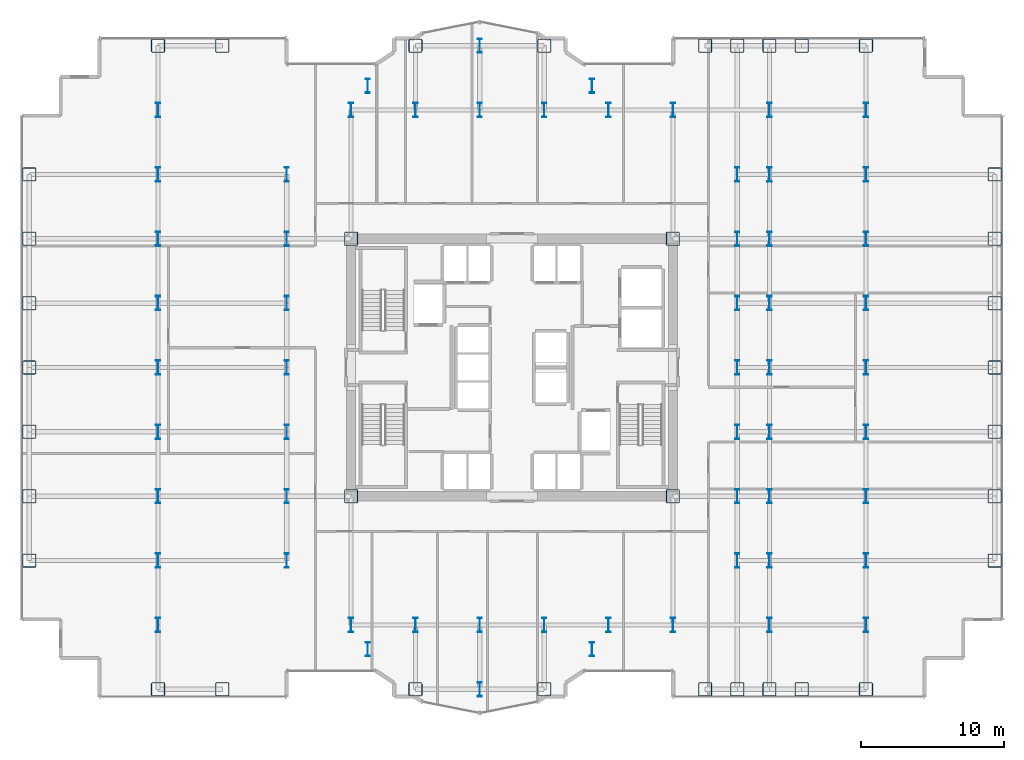
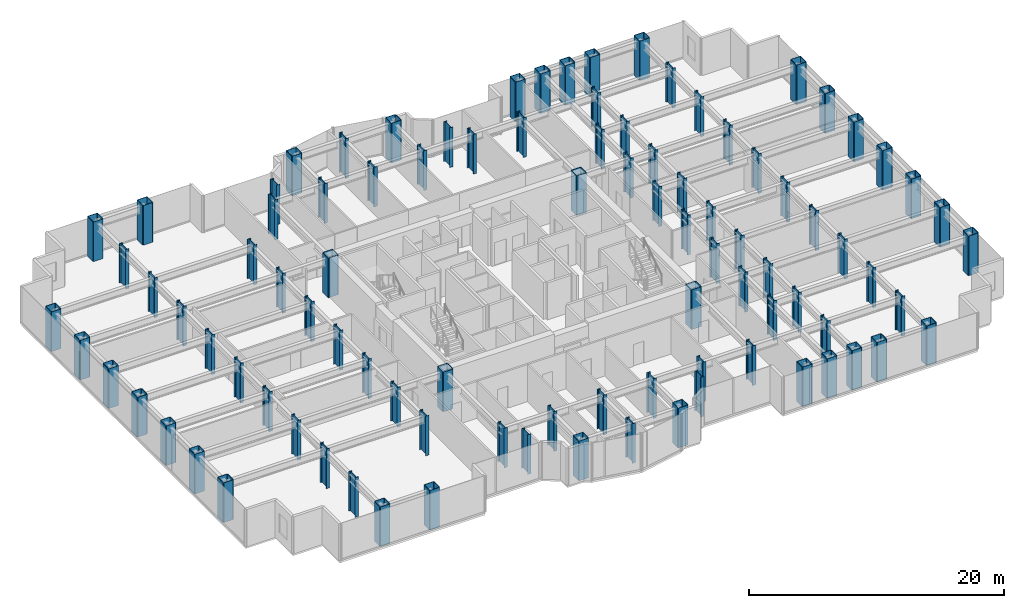
# One storey, part 1 of 26: 95 columns.
"""IFC4 building model written with IfcOpenShell, lengths in metres."""

from ifc_helpers import new_model, si_unit, direction, frame, origin, origin_2d, place, context, subcontext, project, spatial, hollow_rectangle, i_section, extrude, source, transform, mapped, material, material_profile, profile_set, type_object, element, save


model = new_model("IFC4")

# Units and contexts
model_context = context("Model", 3, precision=1e-05, world=origin(), true_north=direction((0.0, 1.0)))
body_context = subcontext(model_context, "Body", "Model", "MODEL_VIEW")
ifc_project = project(units=[si_unit("LENGTHUNIT", "METRE"), si_unit("AREAUNIT", "SQUARE_METRE"), si_unit("VOLUMEUNIT", "CUBIC_METRE"), si_unit("PLANEANGLEUNIT", "RADIAN"), si_unit("MASSUNIT", "GRAM", prefix="KILO")], contexts=[model_context])

# Site, building, storey
site_placement = place(None, origin())
site = spatial("IfcSite", under=ifc_project, at=site_placement, CompositionType="ELEMENT")
building_placement = place(site_placement, origin())
building = spatial("IfcBuilding", under=site, at=building_placement, Name="Nefas-Gora Pilgrimage Tower", CompositionType="ELEMENT")
storey_placement = place(building_placement, frame((0.0, 0.0, 63.39990234375)))
storey = spatial("IfcBuildingStorey", under=building, at=storey_placement, Name="L14", CompositionType="ELEMENT", Elevation=63.39990234375)

# Columns
ifc_material = material(Name="Steel S460", Category="steel")
ifc_material_profile_1 = material_profile(ifc_material, hollow_rectangle(XDim=0.949951171875, YDim=0.949951171875, WallThickness=0.044921875, InnerFilletRadius=0.044921875, OuterFilletRadius=0.090087890625, at=origin_2d()), Name="BOX 950x950x45")
ifc_profile_set_1 = profile_set([ifc_material_profile_1], Name="Steel S460")
column_type_1 = type_object("IfcColumnType", Name="COL-TUBE-950", PredefinedType="COLUMN", material=ifc_profile_set_1)
shared_shape_1 = source(origin(), body_context, "Body", "SweptSolid", [
    extrude(hollow_rectangle(XDim=0.949951171875, YDim=0.949951171875, WallThickness=0.044921875, InnerFilletRadius=0.044921875, OuterFilletRadius=0.090087890625, at=origin_2d()), origin(), (0.0, 0.0, 1.0), 3.800048828125),
])
for number, where, z_axis, x_axis, name in (
    (1, (-33.75, -13.5, 0.0), (0.0, 0.0, 1.0), (1.0, 0.0, 0.0), "L14 Tower Column C-Z1.1"),
    (2, (-33.75, -9.0, 0.0), (0.0, 0.0, 1.0), (1.0, 0.0, 0.0), "L14 Tower Column C-Z1.2"),
    (3, (-33.75, -4.5, 0.0), (0.0, 0.0, 1.0), (1.0, 0.0, 0.0), "L14 Tower Column C-Z1.3"),
    (4, (-33.75, 0.0, 0.0), (0.0, 0.0, 1.0), (1.0, 0.0, 0.0), "L14 Tower Column C-Z1.4"),
    (5, (-33.75, 4.5, 0.0), (0.0, 0.0, 1.0), (1.0, 0.0, 0.0), "L14 Tower Column C-Z1.5"),
    (6, (-33.75, 9.0, 0.0), (0.0, 0.0, 1.0), (1.0, 0.0, 0.0), "L14 Tower Column C-Z1.6"),
    (7, (-33.75, 13.5, 0.0), (0.0, 0.0, 1.0), (1.0, 0.0, 0.0), "L14 Tower Column C-Z1.7"),
    (8, (-24.75, -22.5, 0.0), (0.0, 0.0, 1.0), (1.0, 0.0, 0.0), "L14 Tower Column C-Z1.8"),
    (9, (-24.75, 22.5, 0.0), (0.0, 0.0, 1.0), (1.0, 0.0, 0.0), "L14 Tower Column C-Z1.18"),
    (10, (-20.25, -22.5, 0.0), (0.0, 0.0, 1.0), (1.0, 0.0, 0.0), "L14 Tower Column C-Z1.19"),
    (11, (-20.25, 22.5, 0.0), (0.0, 0.0, 1.0), (1.0, 0.0, 0.0), "L14 Tower Column C-Z1.20"),
    (12, (-6.75, -22.5, 0.0), (0.0, 0.0, 1.0), (1.0, 0.0, 0.0), "L14 Tower Column C-Z1.34"),
    (13, (-6.75, 22.5, 0.0), (0.0, 0.0, 1.0), (1.0, 0.0, 0.0), "L14 Tower Column C-Z1.37"),
    (14, (2.25, -22.5, 0.0), (0.0, 0.0, 1.0), (1.0, 0.0, 0.0), "L14 Tower Column C-Z1.42"),
    (15, (2.25, 22.5, 0.0), (0.0, 0.0, 1.0), (1.0, 0.0, 0.0), "L14 Tower Column C-Z1.45"),
    (16, (13.5, -22.5, 0.0), (0.0, 0.0, 1.0), (1.0, 0.0, 0.0), "L14 Tower Column C-Z1.54"),
    (17, (13.5, 22.5, 0.0), (0.0, 0.0, 1.0), (1.0, 0.0, 0.0), "L14 Tower Column C-Z1.55"),
    (18, (15.75, -22.5, 0.0), (0.0, 0.0, 1.0), (1.0, 0.0, 0.0), "L14 Tower Column C-Z1.56"),
    (19, (15.75, 22.5, 0.0), (0.0, 0.0, 1.0), (1.0, 0.0, 0.0), "L14 Tower Column C-Z1.64"),
    (20, (18.0, -22.5, 0.0), (0.0, 0.0, 1.0), (1.0, 0.0, 0.0), "L14 Tower Column C-Z1.65"),
    (21, (18.0, 22.5, 0.0), (0.0, 0.0, 1.0), (1.0, 0.0, 0.0), "L14 Tower Column C-Z1.75"),
    (22, (20.25, -22.5, 0.0), (0.0, 0.0, 1.0), (1.0, 0.0, 0.0), "L14 Tower Column C-Z1.76"),
    (23, (20.25, 22.5, 0.0), (0.0, 0.0, 1.0), (1.0, 0.0, 0.0), "L14 Tower Column C-Z1.77"),
    (24, (24.75, -22.5, 0.0), (0.0, 0.0, 1.0), (1.0, 0.0, 0.0), "L14 Tower Column C-Z1.78"),
    (25, (24.75, 22.5, 0.0), (0.0, 0.0, 1.0), (1.0, 0.0, 0.0), "L14 Tower Column C-Z1.88"),
    (26, (33.75, -13.5, 0.0), (0.0, 0.0, 1.0), (1.0, 0.0, 0.0), "L14 Tower Column C-Z1.89"),
    (27, (33.75, -9.0, 0.0), (0.0, 0.0, 1.0), (1.0, 0.0, 0.0), "L14 Tower Column C-Z1.90"),
    (28, (33.75, -4.5, 0.0), (0.0, 0.0, 1.0), (1.0, 0.0, 0.0), "L14 Tower Column C-Z1.91"),
    (29, (33.75, 0.0, 0.0), (0.0, 0.0, 1.0), (1.0, 0.0, 0.0), "L14 Tower Column C-Z1.92"),
    (30, (33.75, 4.5, 0.0), (0.0, 0.0, 1.0), (1.0, 0.0, 0.0), "L14 Tower Column C-Z1.93"),
    (31, (33.75, 9.0, 0.0), (0.0, 0.0, 1.0), (1.0, 0.0, 0.0), "L14 Tower Column C-Z1.94"),
    (32, (33.75, 13.5, 0.0), (0.0, 0.0, 1.0), (1.0, 0.0, 0.0), "L14 Tower Column C-Z1.95"),
):
    element("IfcColumn", number, at=place(storey_placement, frame(where, z_axis=z_axis, x_axis=x_axis)), inside=storey, type_object=column_type_1, Name=name, PredefinedType="COLUMN", context=body_context, shape_type="MappedRepresentation", body=[
        mapped(shared_shape_1, transform((0.0, 0.0, 0.0), x_axis=(1.0, 0.0, 0.0), y_axis=(0.0, 1.0, 0.0), z_axis=(0.0, 0.0, 1.0), scale=1.0)),
    ])
ifc_material_profile_2 = material_profile(ifc_material, i_section(OverallWidth=0.302001953125, OverallDepth=1.008056640625, WebThickness=0.02099609375, FlangeThickness=0.0400390625, FilletRadius=0.030029296875, at=origin_2d()), Name="HEM 1000")
ifc_profile_set_2 = profile_set([ifc_material_profile_2], Name="Steel S460")
column_type_2 = type_object("IfcColumnType", Name="COL-WEB-HEM1000", PredefinedType="COLUMN", material=ifc_profile_set_2)
shared_shape_2 = source(origin(), body_context, "Body", "SweptSolid", [
    extrude(i_section(OverallWidth=0.302001953125, OverallDepth=1.008056640625, WebThickness=0.02099609375, FlangeThickness=0.0400390625, FilletRadius=0.030029296875, at=origin_2d()), origin(), (0.0, 0.0, 1.0), 3.800048828125),
])
for number, where, z_axis, x_axis, name in (
    (33, (-24.75, -18.0, 0.0), (0.0, 0.0, 1.0), (1.0, 0.0, 0.0), "L14 Tower Column CW-01.9"),
    (34, (-24.75, -13.5, 0.0), (0.0, 0.0, 1.0), (1.0, 0.0, 0.0), "L14 Tower Column CW-01.10"),
    (35, (-24.75, -9.0, 0.0), (0.0, 0.0, 1.0), (1.0, 0.0, 0.0), "L14 Tower Column CW-01.11"),
    (36, (-24.75, -4.5, 0.0), (0.0, 0.0, 1.0), (1.0, 0.0, 0.0), "L14 Tower Column CW-01.12"),
    (37, (-24.75, 0.0, 0.0), (0.0, 0.0, 1.0), (1.0, 0.0, 0.0), "L14 Tower Column CW-01.13"),
    (38, (-24.75, 4.5, 0.0), (0.0, 0.0, 1.0), (1.0, 0.0, 0.0), "L14 Tower Column CW-01.14"),
    (39, (-24.75, 9.0, 0.0), (0.0, 0.0, 1.0), (1.0, 0.0, 0.0), "L14 Tower Column CW-01.15"),
    (40, (-24.75, 13.5, 0.0), (0.0, 0.0, 1.0), (1.0, 0.0, 0.0), "L14 Tower Column CW-01.16"),
    (41, (-24.75, 18.0, 0.0), (0.0, 0.0, 1.0), (1.0, 0.0, 0.0), "L14 Tower Column CW-01.17"),
    (42, (-15.75, -13.5, 0.0), (0.0, 0.0, 1.0), (1.0, 0.0, 0.0), "L14 Tower Column CW-01.21"),
    (43, (-15.75, -9.0, 0.0), (0.0, 0.0, 1.0), (1.0, 0.0, 0.0), "L14 Tower Column CW-01.22"),
    (44, (-15.75, -4.5, 0.0), (0.0, 0.0, 1.0), (1.0, 0.0, 0.0), "L14 Tower Column CW-01.23"),
    (45, (-15.75, 0.0, 0.0), (0.0, 0.0, 1.0), (1.0, 0.0, 0.0), "L14 Tower Column CW-01.24"),
    (46, (-15.75, 4.5, 0.0), (0.0, 0.0, 1.0), (1.0, 0.0, 0.0), "L14 Tower Column CW-01.25"),
    (47, (-15.75, 9.0, 0.0), (0.0, 0.0, 1.0), (1.0, 0.0, 0.0), "L14 Tower Column CW-01.26"),
    (48, (-15.75, 13.5, 0.0), (0.0, 0.0, 1.0), (1.0, 0.0, 0.0), "L14 Tower Column CW-01.27"),
    (49, (-11.25, -18.0, 0.0), (0.0, 0.0, 1.0), (1.0, 0.0, 0.0), "L14 Tower Column CW-01.28"),
    (50, (-11.25, 18.0, 0.0), (0.0, 0.0, 1.0), (1.0, 0.0, 0.0), "L14 Tower Column CW-01.31"),
    (51, (-10.091064453125, -19.696044921875, 0.0), (0.0, 0.0, 1.0), (1.0, 0.0, 0.0), "L14 Tower Column CW-01.32"),
    (52, (-10.091064453125, 19.696044921875, 0.0), (0.0, 0.0, 1.0), (1.0, 0.0, 0.0), "L14 Tower Column CW-01.33"),
    (53, (-6.75, -18.0, 0.0), (0.0, 0.0, 1.0), (1.0, 0.0, 0.0), "L14 Tower Column CW-01.35"),
    (54, (-6.75, 18.0, 0.0), (0.0, 0.0, 1.0), (1.0, 0.0, 0.0), "L14 Tower Column CW-01.36"),
    (55, (-2.25, -22.5, 0.0), (0.0, 0.0, 1.0), (1.0, 0.0, 0.0), "L14 Tower Column CW-01.38"),
    (56, (-2.25, -18.0, 0.0), (0.0, 0.0, 1.0), (1.0, 0.0, 0.0), "L14 Tower Column CW-01.39"),
    (57, (-2.25, 18.0, 0.0), (0.0, 0.0, 1.0), (1.0, 0.0, 0.0), "L14 Tower Column CW-01.40"),
    (58, (-2.25, 22.5, 0.0), (0.0, 0.0, 1.0), (1.0, 0.0, 0.0), "L14 Tower Column CW-01.41"),
    (59, (2.25, -18.0, 0.0), (0.0, 0.0, 1.0), (1.0, 0.0, 0.0), "L14 Tower Column CW-01.43"),
    (60, (2.25, 18.0, 0.0), (0.0, 0.0, 1.0), (1.0, 0.0, 0.0), "L14 Tower Column CW-01.44"),
    (61, (5.591064453125, -19.696044921875, 0.0), (0.0, 0.0, 1.0), (1.0, 0.0, 0.0), "L14 Tower Column CW-01.46"),
    (62, (5.591064453125, 19.696044921875, 0.0), (0.0, 0.0, 1.0), (1.0, 0.0, 0.0), "L14 Tower Column CW-01.47"),
    (63, (6.75, -18.0, 0.0), (0.0, 0.0, 1.0), (1.0, 0.0, 0.0), "L14 Tower Column CW-01.48"),
    (64, (6.75, 18.0, 0.0), (0.0, 0.0, 1.0), (1.0, 0.0, 0.0), "L14 Tower Column CW-01.49"),
    (65, (11.25, -18.0, 0.0), (0.0, 0.0, 1.0), (1.0, 0.0, 0.0), "L14 Tower Column CW-01.50"),
    (66, (11.25, 18.0, 0.0), (0.0, 0.0, 1.0), (1.0, 0.0, 0.0), "L14 Tower Column CW-01.53"),
    (67, (15.75, -13.5, 0.0), (0.0, 0.0, 1.0), (1.0, 0.0, 0.0), "L14 Tower Column CW-01.57"),
    (68, (15.75, -9.0, 0.0), (0.0, 0.0, 1.0), (1.0, 0.0, 0.0), "L14 Tower Column CW-01.58"),
    (69, (15.75, -4.5, 0.0), (0.0, 0.0, 1.0), (1.0, 0.0, 0.0), "L14 Tower Column CW-01.59"),
    (70, (15.75, 0.0, 0.0), (0.0, 0.0, 1.0), (1.0, 0.0, 0.0), "L14 Tower Column CW-01.60"),
    (71, (15.75, 4.5, 0.0), (0.0, 0.0, 1.0), (1.0, 0.0, 0.0), "L14 Tower Column CW-01.61"),
    (72, (15.75, 9.0, 0.0), (0.0, 0.0, 1.0), (1.0, 0.0, 0.0), "L14 Tower Column CW-01.62"),
    (73, (15.75, 13.5, 0.0), (0.0, 0.0, 1.0), (1.0, 0.0, 0.0), "L14 Tower Column CW-01.63"),
    (74, (18.0, -18.0, 0.0), (0.0, 0.0, 1.0), (1.0, 0.0, 0.0), "L14 Tower Column CW-01.66"),
    (75, (18.0, -13.5, 0.0), (0.0, 0.0, 1.0), (1.0, 0.0, 0.0), "L14 Tower Column CW-01.67"),
    (76, (18.0, -9.0, 0.0), (0.0, 0.0, 1.0), (1.0, 0.0, 0.0), "L14 Tower Column CW-01.68"),
    (77, (18.0, -4.5, 0.0), (0.0, 0.0, 1.0), (1.0, 0.0, 0.0), "L14 Tower Column CW-01.69"),
    (78, (18.0, 0.0, 0.0), (0.0, 0.0, 1.0), (1.0, 0.0, 0.0), "L14 Tower Column CW-01.70"),
    (79, (18.0, 4.5, 0.0), (0.0, 0.0, 1.0), (1.0, 0.0, 0.0), "L14 Tower Column CW-01.71"),
    (80, (18.0, 9.0, 0.0), (0.0, 0.0, 1.0), (1.0, 0.0, 0.0), "L14 Tower Column CW-01.72"),
    (81, (18.0, 13.5, 0.0), (0.0, 0.0, 1.0), (1.0, 0.0, 0.0), "L14 Tower Column CW-01.73"),
    (82, (18.0, 18.0, 0.0), (0.0, 0.0, 1.0), (1.0, 0.0, 0.0), "L14 Tower Column CW-01.74"),
    (83, (24.75, -18.0, 0.0), (0.0, 0.0, 1.0), (1.0, 0.0, 0.0), "L14 Tower Column CW-01.79"),
    (84, (24.75, -13.5, 0.0), (0.0, 0.0, 1.0), (1.0, 0.0, 0.0), "L14 Tower Column CW-01.80"),
    (85, (24.75, -9.0, 0.0), (0.0, 0.0, 1.0), (1.0, 0.0, 0.0), "L14 Tower Column CW-01.81"),
    (86, (24.75, -4.5, 0.0), (0.0, 0.0, 1.0), (1.0, 0.0, 0.0), "L14 Tower Column CW-01.82"),
    (87, (24.75, 0.0, 0.0), (0.0, 0.0, 1.0), (1.0, 0.0, 0.0), "L14 Tower Column CW-01.83"),
    (88, (24.75, 4.5, 0.0), (0.0, 0.0, 1.0), (1.0, 0.0, 0.0), "L14 Tower Column CW-01.84"),
    (89, (24.75, 9.0, 0.0), (0.0, 0.0, 1.0), (1.0, 0.0, 0.0), "L14 Tower Column CW-01.85"),
    (90, (24.75, 13.5, 0.0), (0.0, 0.0, 1.0), (1.0, 0.0, 0.0), "L14 Tower Column CW-01.86"),
    (91, (24.75, 18.0, 0.0), (0.0, 0.0, 1.0), (1.0, 0.0, 0.0), "L14 Tower Column CW-01.87"),
):
    element("IfcColumn", number, at=place(storey_placement, frame(where, z_axis=z_axis, x_axis=x_axis)), inside=storey, type_object=column_type_2, Name=name, PredefinedType="COLUMN", context=body_context, shape_type="MappedRepresentation", body=[
        mapped(shared_shape_2, transform((0.0, 0.0, 0.0), x_axis=(1.0, 0.0, 0.0), y_axis=(0.0, 1.0, 0.0), z_axis=(0.0, 0.0, 1.0), scale=1.0)),
    ])
ifc_material_profile_3 = material_profile(ifc_material, hollow_rectangle(XDim=0.949951171875, YDim=0.949951171875, WallThickness=0.044921875, InnerFilletRadius=0.044921875, OuterFilletRadius=0.090087890625, at=origin_2d()), Name="BOX 950x950x45")
ifc_profile_set_3 = profile_set([ifc_material_profile_3], Name="Steel S460")
column_type_3 = type_object("IfcColumnType", Name="COL-CORE-950", PredefinedType="COLUMN", material=ifc_profile_set_3)
shared_shape_3 = source(origin(), body_context, "Body", "SweptSolid", [
    extrude(hollow_rectangle(XDim=0.949951171875, YDim=0.949951171875, WallThickness=0.044921875, InnerFilletRadius=0.044921875, OuterFilletRadius=0.090087890625, at=origin_2d()), origin(), (0.0, 0.0, 1.0), 3.800048828125),
])
for number, where, z_axis, x_axis, name in (
    (92, (-11.25, -9.0, 0.0), (0.0, 0.0, 1.0), (1.0, 0.0, 0.0), "L14 Tower Column CC-Z1.29"),
    (93, (-11.25, 9.0, 0.0), (0.0, 0.0, 1.0), (1.0, 0.0, 0.0), "L14 Tower Column CC-Z1.30"),
    (94, (11.25, -9.0, 0.0), (0.0, 0.0, 1.0), (1.0, 0.0, 0.0), "L14 Tower Column CC-Z1.51"),
    (95, (11.25, 9.0, 0.0), (0.0, 0.0, 1.0), (1.0, 0.0, 0.0), "L14 Tower Column CC-Z1.52"),
):
    element("IfcColumn", number, at=place(storey_placement, frame(where, z_axis=z_axis, x_axis=x_axis)), inside=storey, type_object=column_type_3, Name=name, PredefinedType="COLUMN", context=body_context, shape_type="MappedRepresentation", body=[
        mapped(shared_shape_3, transform((0.0, 0.0, 0.0), x_axis=(1.0, 0.0, 0.0), y_axis=(0.0, 1.0, 0.0), z_axis=(0.0, 0.0, 1.0), scale=1.0)),
    ])

save(model, "model.ifc")
